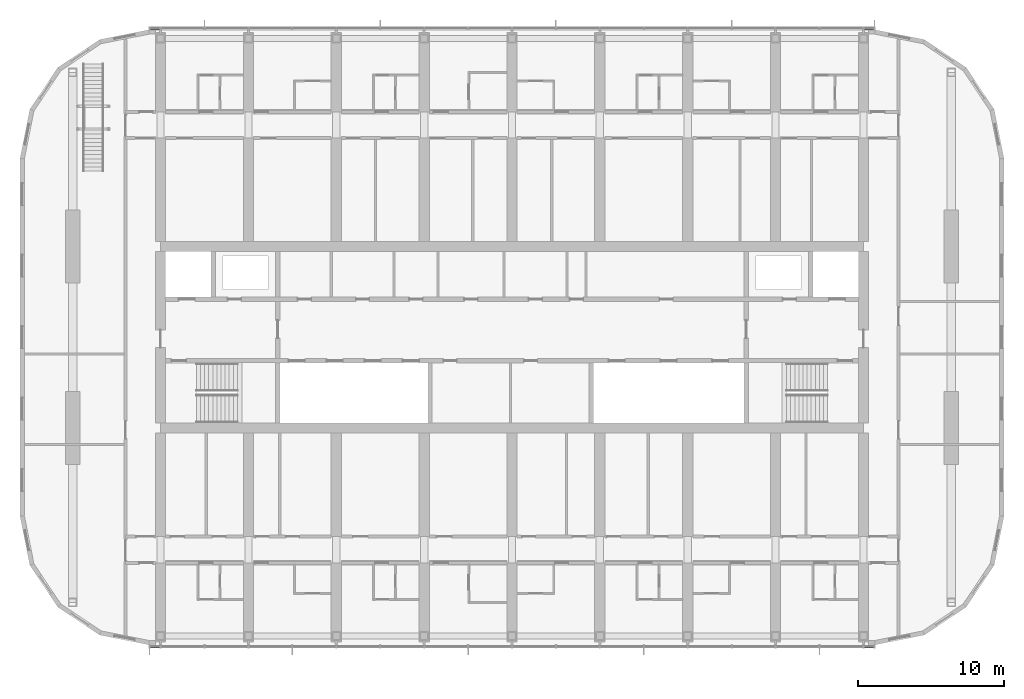
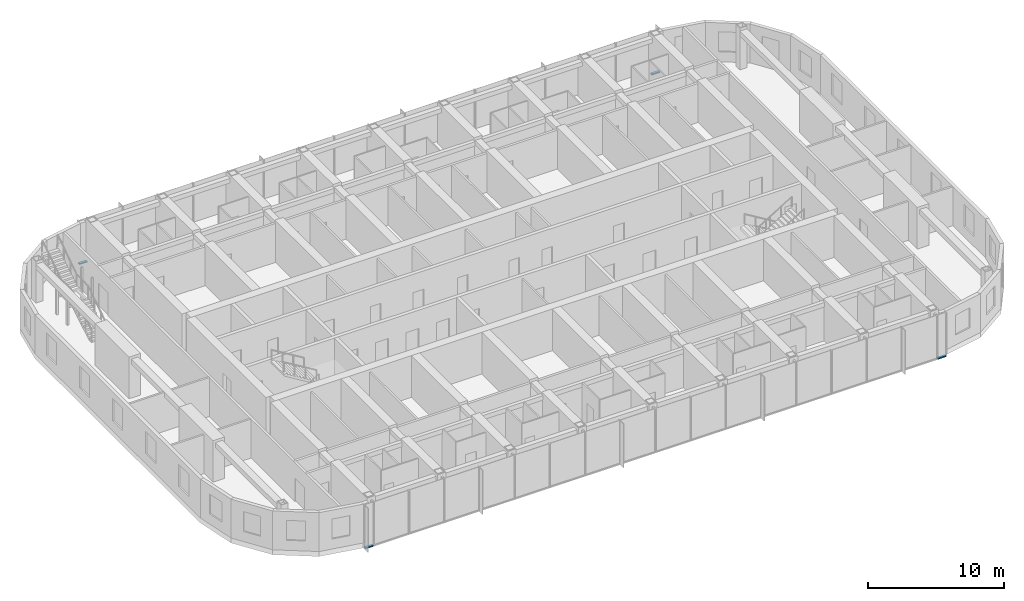
# One storey, part 8 of 26: 4 members, 2 elements without a shape of their own.
"""IFC4 building model written with IfcOpenShell, lengths in metres."""

import ifcopenshell
import ifcopenshell.guid

model = None  # the IFC model being written
_history = None  # IfcOwnerHistory: only IFC2X3 demands one
_inside = {}  # id of a spatial element -> (the spatial element, [elements in it])
_under = {}  # id of a project, library or spatial element -> (it, [spatial elements below it])
_declared = {}  # id of a project -> (the project, [libraries it declares])
_typed = {}  # id of a type object -> (the type object, [elements of that type])
_made_of = {}  # id of a material, layer set ... -> (it, [elements and type objects made of it])


def new_model(schema):
    """Start an empty IFC model of exactly this schema.

    Asked for "IFC4X3", IfcOpenShell would pick the latest addendum, in which some entities
    have other attributes; the version numbers below select the first issue.
    IFC2X3 requires an IfcOwnerHistory on every rooted entity: one is made here for all.
    """
    global model, _history
    if schema == "IFC4X3":
        model = ifcopenshell.file(schema_version=(4, 3, 0, 0))
    else:
        model = ifcopenshell.file(schema=schema)
    _inside.clear()
    _under.clear()
    _declared.clear()
    _typed.clear()
    _made_of.clear()
    _history = None
    if model.schema == "IFC2X3":
        org = make("IfcOrganization", Name="unknown")
        user = make(
            "IfcPersonAndOrganization",
            ThePerson=make("IfcPerson", FamilyName="unknown"),
            TheOrganization=org,
        )
        app = make(
            "IfcApplication",
            ApplicationDeveloper=org,
            Version="unknown",
            ApplicationFullName="unknown",
            ApplicationIdentifier="unknown",
        )
        _history = make(
            "IfcOwnerHistory",
            OwningUser=user,
            OwningApplication=app,
            ChangeAction="ADDED",
            CreationDate=0,
        )
    return model


def make(cls, **values):
    """One entity of the class cls with the attributes given. An attribute that is None is left unset."""
    return model.create_entity(
        cls, **{name: value for name, value in values.items() if value is not None}
    )


def rooted(cls, **values):
    """An entity with a GlobalId (a new one), such as an element, a storey or a relation."""
    return make(cls, GlobalId=ifcopenshell.guid.new(), OwnerHistory=_history, **values)


def si_unit(unit_type, name, prefix=None):
    """IfcSIUnit, for example si_unit("LENGTHUNIT", "METRE", prefix="MILLI")."""
    return make("IfcSIUnit", UnitType=unit_type, Prefix=prefix, Name=name)


def assignment(units):
    """IfcUnitAssignment: the units of a project."""
    return None if units is None else make("IfcUnitAssignment", Units=units)


def point(xyz):
    """IfcCartesianPoint."""
    return None if xyz is None else make("IfcCartesianPoint", Coordinates=xyz)


def direction(xyz):
    """IfcDirection."""
    return None if xyz is None else make("IfcDirection", DirectionRatios=xyz)


def frame(location, z_axis=None, x_axis=None):
    """IfcAxis2Placement3D, a coordinate frame: its origin and axes. An axis left out is left unset."""
    return make(
        "IfcAxis2Placement3D",
        Location=point(location),
        Axis=direction(z_axis),
        RefDirection=direction(x_axis),
    )


def frame_2d(location, x_axis=None):
    """IfcAxis2Placement2D, a coordinate frame in the plane: its origin and x axis."""
    return make(
        "IfcAxis2Placement2D", Location=point(location), RefDirection=direction(x_axis)
    )


def origin():
    """The frame at (0, 0, 0) with its axes left unset."""
    return frame((0.0, 0.0, 0.0))


def origin_2d():
    """The frame at (0, 0) in the plane with its x axis left unset."""
    return frame_2d((0.0, 0.0))


def place(relative_to, where):
    """IfcLocalPlacement: puts the frame where relative to a parent placement (None: the world)."""
    return make(
        "IfcLocalPlacement", PlacementRelTo=relative_to, RelativePlacement=where
    )


def context(
    kind, dimensions, precision=None, world=None, true_north=None, identifier=None
):
    """IfcGeometricRepresentationContext, for example the 3D "Model" context."""
    return make(
        "IfcGeometricRepresentationContext",
        ContextIdentifier=identifier,
        ContextType=kind,
        CoordinateSpaceDimension=dimensions,
        Precision=precision,
        WorldCoordinateSystem=world,
        TrueNorth=true_north,
    )


def subcontext(parent, identifier, kind, view, scale=None):
    """IfcGeometricRepresentationSubContext, for example "Body" below "Model"."""
    return make(
        "IfcGeometricRepresentationSubContext",
        ContextIdentifier=identifier,
        ContextType=kind,
        ParentContext=parent,
        TargetScale=scale,
        TargetView=view,
    )


def project(units=None, contexts=None):
    """IfcProject with its units and contexts."""
    return rooted(
        "IfcProject",
        Name="project",
        RepresentationContexts=contexts,
        UnitsInContext=assignment(units),
    )


def spatial(cls, under=None, at=None, **own):
    """A site, building, storey or space (cls), placed at a placement, below another one or the project."""
    s = rooted(cls, ObjectPlacement=at, **own)
    if under is not None:
        _under.setdefault(under.id(), (under, []))[1].append(s)
    return s


def profile(cls, at=None, kind="AREA", **sizes):
    """A parametric profile (cls). Its sizes go by their IFC names, for example OverallWidth=200.0."""
    return make(cls, ProfileType=kind, Position=at, **sizes)


def rectangle(**sizes):
    """IfcRectangleProfileDef."""
    return profile("IfcRectangleProfileDef", **sizes)


def extrude(swept, where, along, depth):
    """IfcExtrudedAreaSolid: the profile swept, set in the frame where, extruded along a direction by depth."""
    return make(
        "IfcExtrudedAreaSolid",
        SweptArea=swept,
        Position=where,
        ExtrudedDirection=direction(along),
        Depth=depth,
    )


def shape(context_of_items, identifier, shape_type, items):
    """IfcShapeRepresentation: the items that make up one representation, for example the "Body"."""
    return make(
        "IfcShapeRepresentation",
        ContextOfItems=context_of_items,
        RepresentationIdentifier=identifier,
        RepresentationType=shape_type,
        Items=items,
    )


def material(Name=None, Category=None):
    """IfcMaterial."""
    return make("IfcMaterial", Name=Name, Category=Category)


def material_profile(
    of_material, cross_section, Name=None, Category=None, Priority=None
):
    """IfcMaterialProfile: a cross section and its material."""
    return make(
        "IfcMaterialProfile",
        Name=Name,
        Material=of_material,
        Profile=cross_section,
        Priority=Priority,
        Category=Category,
    )


def profile_set(profiles, Name=None, composite=None):
    """IfcMaterialProfileSet."""
    return make(
        "IfcMaterialProfileSet",
        Name=Name,
        MaterialProfiles=profiles,
        CompositeProfile=composite,
    )


def made_of(thing, what):
    """Note that an element or type object is made of a material, layer set ...; save() writes the relation."""
    if what is not None:
        _made_of.setdefault(what.id(), (what, []))[1].append(thing)
    return thing


def type_object(cls, material=None, **own):
    """A type object (cls), such as IfcWallType, which elements share."""
    return made_of(rooted(cls, **own), material)


def element(
    cls,
    number,
    at=None,
    inside=None,
    cuts=None,
    type_object=None,
    material=None,
    context=None,
    identifier="Body",
    shape_type=None,
    held_by="IfcProductDefinitionShape",
    body=None,
    shapes=None,
    **own,
):
    """One element of the class cls, such as IfcWall. Its Tag is "e" and its number.

    at: its placement. inside: the storey or other place that contains it. cuts: it is an
    opening in that element (IfcRelVoidsElement). A single representation is given by context,
    identifier, shape_type and body (its items); several are given by shapes. held_by: the class
    of the entity that holds the representations. save() writes the other relations.
    """
    e = rooted(cls, Tag="e%d" % number, ObjectPlacement=at, **own)
    if body is not None:
        shapes = [shape(context, identifier, shape_type, body)]
    if shapes is not None:
        e.Representation = make(held_by, Representations=shapes)
    if inside is not None:
        _inside.setdefault(inside.id(), (inside, []))[1].append(e)
    if cuts is not None:
        rooted(
            "IfcRelVoidsElement", RelatingBuildingElement=cuts, RelatedOpeningElement=e
        )
    if type_object is not None:
        _typed.setdefault(type_object.id(), (type_object, []))[1].append(e)
    return made_of(e, material)


def aggregate(whole, parts):
    """IfcRelAggregates: a whole, such as a stair, and the parts it consists of."""
    return rooted("IfcRelAggregates", RelatingObject=whole, RelatedObjects=parts)


def save(model, path):
    """Write the relations noted so far, then the file.

    IfcRelAggregates (storeys below a building ...), IfcRelContainedInSpatialStructure (elements
    in a storey), IfcRelDefinesByType, IfcRelAssociatesMaterial and IfcRelDeclares: one each for
    every whole, place, type object, material and project.
    """
    for whole, parts in _under.values():
        aggregate(whole, parts)
    for where, things in _inside.values():
        rooted(
            "IfcRelContainedInSpatialStructure",
            RelatedElements=things,
            RelatingStructure=where,
        )
    for kind, things in _typed.values():
        rooted("IfcRelDefinesByType", RelatedObjects=things, RelatingType=kind)
    for what, things in _made_of.values():
        rooted("IfcRelAssociatesMaterial", RelatedObjects=things, RelatingMaterial=what)
    for by, libraries in _declared.values():
        rooted("IfcRelDeclares", RelatingContext=by, RelatedDefinitions=libraries)
    model.write(path)


model = new_model("IFC4")

# Units and contexts
model_context = context("Model", 3, precision=1e-05, world=origin(), true_north=direction((0.0, 1.0)))
body_context = subcontext(model_context, "Body", "Model", "MODEL_VIEW")
ifc_project = project(units=[si_unit("LENGTHUNIT", "METRE"), si_unit("AREAUNIT", "SQUARE_METRE"), si_unit("VOLUMEUNIT", "CUBIC_METRE"), si_unit("PLANEANGLEUNIT", "RADIAN"), si_unit("MASSUNIT", "GRAM", prefix="KILO")], contexts=[model_context])

# Site, building, storey
site_placement = place(None, origin())
site = spatial("IfcSite", under=ifc_project, at=site_placement, CompositionType="ELEMENT")
building_placement = place(site_placement, origin())
building = spatial("IfcBuilding", under=site, at=building_placement, Name="Orbita Commons", CompositionType="ELEMENT")
storey_placement = place(building_placement, frame((0.0, 0.0, 231.550048828125)))
storey = spatial("IfcBuildingStorey", under=building, at=storey_placement, Name="L57", CompositionType="ELEMENT", Elevation=231.550048828125)

# Curtain wall, members
ifc_material_1 = material(Name="Anodised aluminium frame, pale silver", Category="aluminium")
curtain_wall_type = type_object("IfcCurtainWallType", Name="Unitised curtain wall CW-U, full-height vision", PredefinedType="NOTDEFINED", material=ifc_material_1)
curtain_wall_1_placement = place(storey_placement, origin())
curtain_wall_1 = element("IfcCurtainWall", 1, at=curtain_wall_1_placement, inside=storey, type_object=curtain_wall_type, Name="Curtain wall south L57", PredefinedType="NOTDEFINED")
ifc_material_2 = material(Name="Anodised aluminium, pale silver", Category="aluminium")
ifc_material_profile = material_profile(ifc_material_2, rectangle(XDim=0.219970703125, YDim=0.10009765625, at=origin_2d()), Name="AL 220x100")
ifc_profile_set = profile_set([ifc_material_profile], Name="Anodised aluminium, pale silver")
member_type = type_object("IfcMemberType", Name="Curtain wall stack transom 220x100", PredefinedType="USERDEFINED", material=ifc_profile_set)
member_1_placement = place(storey_placement, frame((17.280029296875, 10.889892578125, -0.400146484375), z_axis=(1.0, 0.0, 0.0), x_axis=(0.0, 1.0, 0.0)))
member_1 = element("IfcMember", 2, at=member_1_placement, type_object=member_type, Name="Transom 1.1 CW-L57-S", ObjectType="TRANSOM", PredefinedType="USERDEFINED", context=body_context, shape_type="SweptSolid", body=[
    extrude(rectangle(XDim=0.219970703125, YDim=0.10009765625, at=origin_2d()), origin(), (0.0, 0.0, 1.0), 0.679931640625),
])
member_2_placement = place(storey_placement, frame((66.0400390625, 10.889892578125, -0.400146484375), z_axis=(1.0, 0.0, 0.0), x_axis=(0.0, 1.0, 0.0)))
member_2 = element("IfcMember", 3, at=member_2_placement, type_object=member_type, Name="Transom 18.1 CW-L57-S", ObjectType="TRANSOM", PredefinedType="USERDEFINED", context=body_context, shape_type="SweptSolid", body=[
    extrude(rectangle(XDim=0.219970703125, YDim=0.10009765625, at=origin_2d()), origin(), (0.0, 0.0, 1.0), 0.679931640625),
])
aggregate(curtain_wall_1, [member_1, member_2])

curtain_wall_2_placement = place(storey_placement, origin())
curtain_wall_2 = element("IfcCurtainWall", 4, at=curtain_wall_2_placement, inside=storey, type_object=curtain_wall_type, Name="Curtain wall north L57", PredefinedType="NOTDEFINED")
member_3_placement = place(storey_placement, frame((66.719970703125, 53.110107421875, -0.400146484375), z_axis=(-1.0, 0.0, 0.0), x_axis=(0.0, -1.0, 0.0)))
member_3 = element("IfcMember", 5, at=member_3_placement, type_object=member_type, Name="Transom 1.1 CW-L57-N", ObjectType="TRANSOM", PredefinedType="USERDEFINED", context=body_context, shape_type="SweptSolid", body=[
    extrude(rectangle(XDim=0.219970703125, YDim=0.10009765625, at=origin_2d()), origin(), (0.0, 0.0, 1.0), 0.679931640625),
])
member_4_placement = place(storey_placement, frame((17.9599609375, 53.110107421875, -0.400146484375), z_axis=(-1.0, 0.0, 0.0), x_axis=(0.0, -1.0, 0.0)))
member_4 = element("IfcMember", 6, at=member_4_placement, type_object=member_type, Name="Transom 18.1 CW-L57-N", ObjectType="TRANSOM", PredefinedType="USERDEFINED", context=body_context, shape_type="SweptSolid", body=[
    extrude(rectangle(XDim=0.219970703125, YDim=0.10009765625, at=origin_2d()), origin(), (0.0, 0.0, 1.0), 0.679931640625),
])
aggregate(curtain_wall_2, [member_3, member_4])

save(model, "model.ifc")
